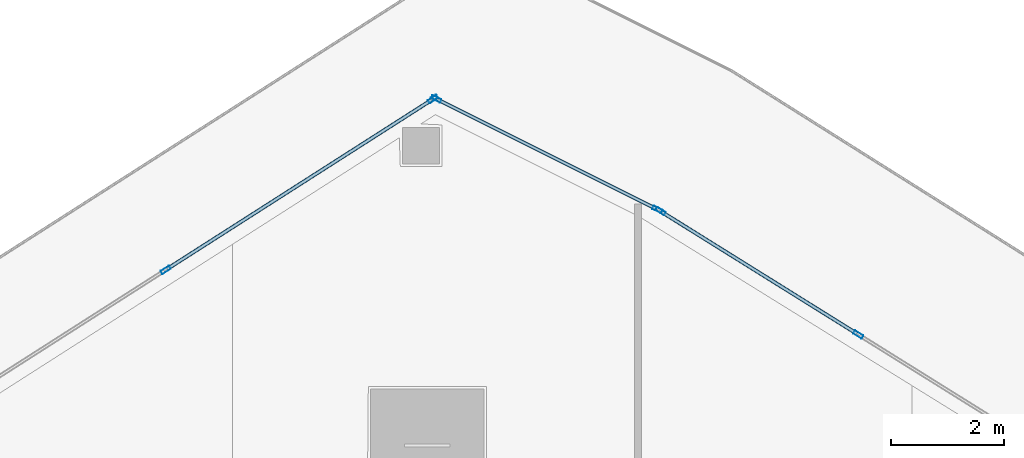
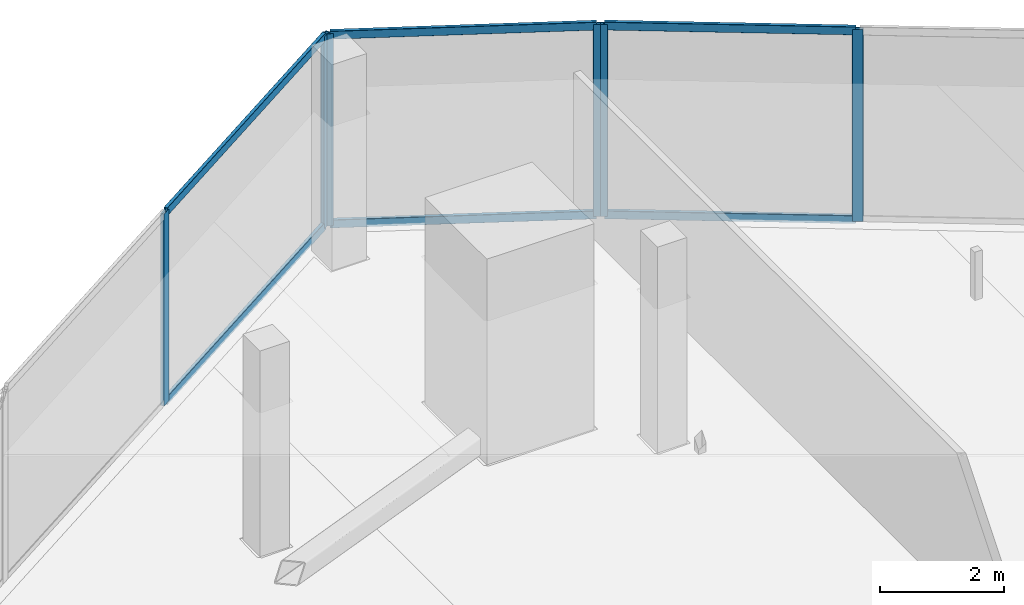
# One storey, part 22 of 39: 12 members, 3 elements without a shape of their own.
"""IFC4 building model written with IfcOpenShell, lengths in metres."""

import ifcopenshell
import ifcopenshell.guid

model = None  # the IFC model being written
_history = None  # IfcOwnerHistory: only IFC2X3 demands one
_inside = {}  # id of a spatial element -> (the spatial element, [elements in it])
_under = {}  # id of a project, library or spatial element -> (it, [spatial elements below it])
_declared = {}  # id of a project -> (the project, [libraries it declares])
_typed = {}  # id of a type object -> (the type object, [elements of that type])
_made_of = {}  # id of a material, layer set ... -> (it, [elements and type objects made of it])


def new_model(schema):
    """Start an empty IFC model of exactly this schema.

    Asked for "IFC4X3", IfcOpenShell would pick the latest addendum, in which some entities
    have other attributes; the version numbers below select the first issue.
    IFC2X3 requires an IfcOwnerHistory on every rooted entity: one is made here for all.
    """
    global model, _history
    if schema == "IFC4X3":
        model = ifcopenshell.file(schema_version=(4, 3, 0, 0))
    else:
        model = ifcopenshell.file(schema=schema)
    _inside.clear()
    _under.clear()
    _declared.clear()
    _typed.clear()
    _made_of.clear()
    _history = None
    if model.schema == "IFC2X3":
        org = make("IfcOrganization", Name="unknown")
        user = make(
            "IfcPersonAndOrganization",
            ThePerson=make("IfcPerson", FamilyName="unknown"),
            TheOrganization=org,
        )
        app = make(
            "IfcApplication",
            ApplicationDeveloper=org,
            Version="unknown",
            ApplicationFullName="unknown",
            ApplicationIdentifier="unknown",
        )
        _history = make(
            "IfcOwnerHistory",
            OwningUser=user,
            OwningApplication=app,
            ChangeAction="ADDED",
            CreationDate=0,
        )
    return model


def make(cls, **values):
    """One entity of the class cls with the attributes given. An attribute that is None is left unset."""
    return model.create_entity(
        cls, **{name: value for name, value in values.items() if value is not None}
    )


def rooted(cls, **values):
    """An entity with a GlobalId (a new one), such as an element, a storey or a relation."""
    return make(cls, GlobalId=ifcopenshell.guid.new(), OwnerHistory=_history, **values)


def si_unit(unit_type, name, prefix=None):
    """IfcSIUnit, for example si_unit("LENGTHUNIT", "METRE", prefix="MILLI")."""
    return make("IfcSIUnit", UnitType=unit_type, Prefix=prefix, Name=name)


def assignment(units):
    """IfcUnitAssignment: the units of a project."""
    return None if units is None else make("IfcUnitAssignment", Units=units)


def point(xyz):
    """IfcCartesianPoint."""
    return None if xyz is None else make("IfcCartesianPoint", Coordinates=xyz)


def direction(xyz):
    """IfcDirection."""
    return None if xyz is None else make("IfcDirection", DirectionRatios=xyz)


def frame(location, z_axis=None, x_axis=None):
    """IfcAxis2Placement3D, a coordinate frame: its origin and axes. An axis left out is left unset."""
    return make(
        "IfcAxis2Placement3D",
        Location=point(location),
        Axis=direction(z_axis),
        RefDirection=direction(x_axis),
    )


def frame_2d(location, x_axis=None):
    """IfcAxis2Placement2D, a coordinate frame in the plane: its origin and x axis."""
    return make(
        "IfcAxis2Placement2D", Location=point(location), RefDirection=direction(x_axis)
    )


def origin():
    """The frame at (0, 0, 0) with its axes left unset."""
    return frame((0.0, 0.0, 0.0))


def origin_2d():
    """The frame at (0, 0) in the plane with its x axis left unset."""
    return frame_2d((0.0, 0.0))


def place(relative_to, where):
    """IfcLocalPlacement: puts the frame where relative to a parent placement (None: the world)."""
    return make(
        "IfcLocalPlacement", PlacementRelTo=relative_to, RelativePlacement=where
    )


def context(
    kind, dimensions, precision=None, world=None, true_north=None, identifier=None
):
    """IfcGeometricRepresentationContext, for example the 3D "Model" context."""
    return make(
        "IfcGeometricRepresentationContext",
        ContextIdentifier=identifier,
        ContextType=kind,
        CoordinateSpaceDimension=dimensions,
        Precision=precision,
        WorldCoordinateSystem=world,
        TrueNorth=true_north,
    )


def subcontext(parent, identifier, kind, view, scale=None):
    """IfcGeometricRepresentationSubContext, for example "Body" below "Model"."""
    return make(
        "IfcGeometricRepresentationSubContext",
        ContextIdentifier=identifier,
        ContextType=kind,
        ParentContext=parent,
        TargetScale=scale,
        TargetView=view,
    )


def project(units=None, contexts=None):
    """IfcProject with its units and contexts."""
    return rooted(
        "IfcProject",
        Name="project",
        RepresentationContexts=contexts,
        UnitsInContext=assignment(units),
    )


def spatial(cls, under=None, at=None, **own):
    """A site, building, storey or space (cls), placed at a placement, below another one or the project."""
    s = rooted(cls, ObjectPlacement=at, **own)
    if under is not None:
        _under.setdefault(under.id(), (under, []))[1].append(s)
    return s


def profile(cls, at=None, kind="AREA", **sizes):
    """A parametric profile (cls). Its sizes go by their IFC names, for example OverallWidth=200.0."""
    return make(cls, ProfileType=kind, Position=at, **sizes)


def hollow_rectangle(**sizes):
    """IfcRectangleHollowProfileDef."""
    return profile("IfcRectangleHollowProfileDef", **sizes)


def extrude(swept, where, along, depth):
    """IfcExtrudedAreaSolid: the profile swept, set in the frame where, extruded along a direction by depth."""
    return make(
        "IfcExtrudedAreaSolid",
        SweptArea=swept,
        Position=where,
        ExtrudedDirection=direction(along),
        Depth=depth,
    )


def shape(context_of_items, identifier, shape_type, items):
    """IfcShapeRepresentation: the items that make up one representation, for example the "Body"."""
    return make(
        "IfcShapeRepresentation",
        ContextOfItems=context_of_items,
        RepresentationIdentifier=identifier,
        RepresentationType=shape_type,
        Items=items,
    )


def material(Name=None, Category=None):
    """IfcMaterial."""
    return make("IfcMaterial", Name=Name, Category=Category)


def layer(
    of_material, thickness, ventilated=None, Name=None, Category=None, Priority=None
):
    """IfcMaterialLayer: one layer of a wall or slab, of a material (None: an air gap)."""
    return make(
        "IfcMaterialLayer",
        Material=of_material,
        LayerThickness=thickness,
        IsVentilated=ventilated,
        Name=Name,
        Category=Category,
        Priority=Priority,
    )


def layer_set(layers, Name=None):
    """IfcMaterialLayerSet."""
    return make("IfcMaterialLayerSet", MaterialLayers=layers, LayerSetName=Name)


def material_profile(
    of_material, cross_section, Name=None, Category=None, Priority=None
):
    """IfcMaterialProfile: a cross section and its material."""
    return make(
        "IfcMaterialProfile",
        Name=Name,
        Material=of_material,
        Profile=cross_section,
        Priority=Priority,
        Category=Category,
    )


def profile_set(profiles, Name=None, composite=None):
    """IfcMaterialProfileSet."""
    return make(
        "IfcMaterialProfileSet",
        Name=Name,
        MaterialProfiles=profiles,
        CompositeProfile=composite,
    )


def made_of(thing, what):
    """Note that an element or type object is made of a material, layer set ...; save() writes the relation."""
    if what is not None:
        _made_of.setdefault(what.id(), (what, []))[1].append(thing)
    return thing


def type_object(cls, material=None, **own):
    """A type object (cls), such as IfcWallType, which elements share."""
    return made_of(rooted(cls, **own), material)


def element(
    cls,
    number,
    at=None,
    inside=None,
    cuts=None,
    type_object=None,
    material=None,
    context=None,
    identifier="Body",
    shape_type=None,
    held_by="IfcProductDefinitionShape",
    body=None,
    shapes=None,
    **own,
):
    """One element of the class cls, such as IfcWall. Its Tag is "e" and its number.

    at: its placement. inside: the storey or other place that contains it. cuts: it is an
    opening in that element (IfcRelVoidsElement). A single representation is given by context,
    identifier, shape_type and body (its items); several are given by shapes. held_by: the class
    of the entity that holds the representations. save() writes the other relations.
    """
    e = rooted(cls, Tag="e%d" % number, ObjectPlacement=at, **own)
    if body is not None:
        shapes = [shape(context, identifier, shape_type, body)]
    if shapes is not None:
        e.Representation = make(held_by, Representations=shapes)
    if inside is not None:
        _inside.setdefault(inside.id(), (inside, []))[1].append(e)
    if cuts is not None:
        rooted(
            "IfcRelVoidsElement", RelatingBuildingElement=cuts, RelatedOpeningElement=e
        )
    if type_object is not None:
        _typed.setdefault(type_object.id(), (type_object, []))[1].append(e)
    return made_of(e, material)


def aggregate(whole, parts):
    """IfcRelAggregates: a whole, such as a stair, and the parts it consists of."""
    return rooted("IfcRelAggregates", RelatingObject=whole, RelatedObjects=parts)


def save(model, path):
    """Write the relations noted so far, then the file.

    IfcRelAggregates (storeys below a building ...), IfcRelContainedInSpatialStructure (elements
    in a storey), IfcRelDefinesByType, IfcRelAssociatesMaterial and IfcRelDeclares: one each for
    every whole, place, type object, material and project.
    """
    for whole, parts in _under.values():
        aggregate(whole, parts)
    for where, things in _inside.values():
        rooted(
            "IfcRelContainedInSpatialStructure",
            RelatedElements=things,
            RelatingStructure=where,
        )
    for kind, things in _typed.values():
        rooted("IfcRelDefinesByType", RelatedObjects=things, RelatingType=kind)
    for what, things in _made_of.values():
        rooted("IfcRelAssociatesMaterial", RelatedObjects=things, RelatingMaterial=what)
    for by, libraries in _declared.values():
        rooted("IfcRelDeclares", RelatingContext=by, RelatedDefinitions=libraries)
    model.write(path)


model = new_model("IFC4")

# Units and contexts
model_context = context("Model", 3, precision=1e-05, world=origin(), true_north=direction((0.0, 1.0)))
body_context = subcontext(model_context, "Body", "Model", "MODEL_VIEW")
ifc_project = project(units=[si_unit("LENGTHUNIT", "METRE"), si_unit("AREAUNIT", "SQUARE_METRE"), si_unit("VOLUMEUNIT", "CUBIC_METRE"), si_unit("PLANEANGLEUNIT", "RADIAN"), si_unit("MASSUNIT", "GRAM", prefix="KILO")], contexts=[model_context])

# Site, building, storey
site_placement = place(None, origin())
site = spatial("IfcSite", under=ifc_project, at=site_placement, CompositionType="ELEMENT")
building_placement = place(site_placement, origin())
building = spatial("IfcBuilding", under=site, at=building_placement, Name="Qorvath Tower", CompositionType="ELEMENT")
storey_placement = place(building_placement, frame((0.0, 0.0, 201.0)))
storey = spatial("IfcBuildingStorey", under=building, at=storey_placement, Name="L46", CompositionType="ELEMENT", Elevation=201.0)

# Curtain wall, members
ifc_material_1 = material(Name="Anodised aluminium and triple low-E glass", Category="aluminium")
ifc_layer = layer(ifc_material_1, 0.179931640625)
ifc_layer_set = layer_set([ifc_layer], Name="CW-SYS-3")
curtain_wall_type = type_object("IfcCurtainWallType", Name="CW-SYS-3", PredefinedType="NOTDEFINED", material=ifc_layer_set)
curtain_wall_1_placement = place(storey_placement, origin())
curtain_wall_1 = element("IfcCurtainWall", 1, at=curtain_wall_1_placement, inside=storey, type_object=curtain_wall_type, Name="Curtain Wall CW-3 CW-T-L46-14.1", PredefinedType="NOTDEFINED")
ifc_material_2 = material(Name="Anodised aluminium 6063-T6", Category="aluminium")
ifc_material_profile_1 = material_profile(ifc_material_2, hollow_rectangle(XDim=0.06494140625, YDim=0.179931640625, WallThickness=0.00341796875, InnerFilletRadius=0.00341796875, OuterFilletRadius=0.007080078125, at=origin_2d()), Name="CWM 180x65")
ifc_profile_set_1 = profile_set([ifc_material_profile_1], Name="Anodised aluminium 6063-T6")
member_type_1 = type_object("IfcMemberType", Name="CWM-180", PredefinedType="MULLION", material=ifc_profile_set_1)
member_1_placement = place(storey_placement, frame((-9.25341796875, 23.590576171875, 0.0), z_axis=(0.0, 0.0, 1.0), x_axis=(-0.529206179006, -0.848493264618, 0.0)))
member_1 = element("IfcMember", 2, at=member_1_placement, type_object=member_type_1, Name="CW-3 mullion 2", PredefinedType="MULLION", context=body_context, shape_type="SweptSolid", body=[
    extrude(hollow_rectangle(XDim=0.06494140625, YDim=0.179931640625, WallThickness=0.00341796875, InnerFilletRadius=0.00341796875, OuterFilletRadius=0.007080078125, at=origin_2d()), origin(), (0.0, 0.0, 1.0), 3.780029296875),
])
member_2_placement = place(storey_placement, frame((-12.748046875, 25.770263671875, 0.0), z_axis=(0.0, 0.0, 1.0), x_axis=(-0.529206179006, -0.848493264618, 0.0)))
member_2 = element("IfcMember", 3, at=member_2_placement, type_object=member_type_1, Name="CW-3 mullion 3", PredefinedType="MULLION", context=body_context, shape_type="SweptSolid", body=[
    extrude(hollow_rectangle(XDim=0.06494140625, YDim=0.179931640625, WallThickness=0.00341796875, InnerFilletRadius=0.00341796875, OuterFilletRadius=0.007080078125, at=origin_2d()), origin(), (0.0, 0.0, 1.0), 3.780029296875),
])

curtain_wall_2_placement = place(storey_placement, origin())
curtain_wall_2 = element("IfcCurtainWall", 4, at=curtain_wall_2_placement, inside=storey, type_object=curtain_wall_type, Name="Curtain Wall CW-3 CW-T-L46-15.1", PredefinedType="NOTDEFINED")
member_3_placement = place(storey_placement, frame((-12.8046875, 25.802001953125, 0.0), z_axis=(0.0, 0.0, 1.0), x_axis=(-0.44720457744, -0.894431699973, 0.0)))
member_3 = element("IfcMember", 5, at=member_3_placement, type_object=member_type_1, Name="CW-3 mullion 1", PredefinedType="MULLION", context=body_context, shape_type="SweptSolid", body=[
    extrude(hollow_rectangle(XDim=0.06494140625, YDim=0.179931640625, WallThickness=0.00341796875, InnerFilletRadius=0.00341796875, OuterFilletRadius=0.007080078125, at=origin_2d()), origin(), (0.0, 0.0, 1.0), 3.780029296875),
])
member_4_placement = place(storey_placement, frame((-16.7138671875, 27.75634765625, 0.0), z_axis=(0.0, 0.0, 1.0), x_axis=(-0.44720457744, -0.894431699973, 0.0)))
member_4 = element("IfcMember", 6, at=member_4_placement, type_object=member_type_1, Name="CW-3 mullion 2", PredefinedType="MULLION", context=body_context, shape_type="SweptSolid", body=[
    extrude(hollow_rectangle(XDim=0.06494140625, YDim=0.179931640625, WallThickness=0.00341796875, InnerFilletRadius=0.00341796875, OuterFilletRadius=0.007080078125, at=origin_2d()), origin(), (0.0, 0.0, 1.0), 3.780029296875),
])

curtain_wall_3_placement = place(storey_placement, origin())
curtain_wall_3 = element("IfcCurtainWall", 7, at=curtain_wall_3_placement, inside=storey, type_object=curtain_wall_type, Name="Curtain Wall CW-3 CW-T-L46-16.1", PredefinedType="NOTDEFINED")
member_5_placement = place(storey_placement, frame((-16.770263671875, 27.75341796875, 0.0), z_axis=(0.0, 0.0, 1.0), x_axis=(0.538533623725, -0.842604020948, 0.0)))
member_5 = element("IfcMember", 8, at=member_5_placement, type_object=member_type_1, Name="CW-3 mullion 1", PredefinedType="MULLION", context=body_context, shape_type="SweptSolid", body=[
    extrude(hollow_rectangle(XDim=0.06494140625, YDim=0.179931640625, WallThickness=0.00341796875, InnerFilletRadius=0.00341796875, OuterFilletRadius=0.007080078125, at=origin_2d()), origin(), (0.0, 0.0, 1.0), 3.780029296875),
])
member_6_placement = place(storey_placement, frame((-21.495361328125, 24.733642578125, 0.0), z_axis=(0.0, 0.0, 1.0), x_axis=(0.538533623725, -0.842604020948, 0.0)))
member_6 = element("IfcMember", 9, at=member_6_placement, type_object=member_type_1, Name="CW-3 mullion 2", PredefinedType="MULLION", context=body_context, shape_type="SweptSolid", body=[
    extrude(hollow_rectangle(XDim=0.06494140625, YDim=0.179931640625, WallThickness=0.00341796875, InnerFilletRadius=0.00341796875, OuterFilletRadius=0.007080078125, at=origin_2d()), origin(), (0.0, 0.0, 1.0), 3.780029296875),
])

# Member
ifc_material_3 = material(Name="Anodised aluminium 6063-T6", Category="aluminium")
ifc_material_profile_2 = material_profile(ifc_material_3, hollow_rectangle(XDim=0.06494140625, YDim=0.159912109375, WallThickness=0.00341796875, InnerFilletRadius=0.00341796875, OuterFilletRadius=0.007080078125, at=origin_2d()), Name="CWT 160x65")
ifc_profile_set_2 = profile_set([ifc_material_profile_2], Name="Anodised aluminium 6063-T6")
member_type_2 = type_object("IfcMemberType", Name="CWT-160", PredefinedType="USERDEFINED", material=ifc_profile_set_2)
member_7_placement = place(storey_placement, frame((-9.281005859375, 23.60791015625, 0.032470703125), z_axis=(-0.848512223459, 0.529175780474, 0.0), x_axis=(-0.529175780474, -0.848512223459, 0.0)))
member_7 = element("IfcMember", 10, at=member_7_placement, type_object=member_type_2, Name="CW-3 transom 2.1", ObjectType="TRANSOM", PredefinedType="USERDEFINED", context=body_context, shape_type="SweptSolid", body=[
    extrude(hollow_rectangle(XDim=0.06494140625, YDim=0.159912109375, WallThickness=0.00341796875, InnerFilletRadius=0.00341796875, OuterFilletRadius=0.007080078125, at=origin_2d()), origin(), (0.0, 0.0, 1.0), 4.053466796875),
])

member_8_placement = place(storey_placement, frame((-9.281005859375, 23.60791015625, 3.74755859375), z_axis=(-0.848512223459, 0.529175780474, 0.0), x_axis=(-0.529175780474, -0.848512223459, 0.0)))
member_8 = element("IfcMember", 11, at=member_8_placement, type_object=member_type_2, Name="CW-3 transom 2.2", ObjectType="TRANSOM", PredefinedType="USERDEFINED", context=body_context, shape_type="SweptSolid", body=[
    extrude(hollow_rectangle(XDim=0.06494140625, YDim=0.159912109375, WallThickness=0.00341796875, InnerFilletRadius=0.00341796875, OuterFilletRadius=0.007080078125, at=origin_2d()), origin(), (0.0, 0.0, 1.0), 4.053466796875),
])

aggregate(curtain_wall_1, [member_1, member_2, member_7, member_8])

member_9_placement = place(storey_placement, frame((-12.833740234375, 25.81640625, 0.032470703125), z_axis=(-0.894427191, 0.4472135955, 0.0), x_axis=(-0.4472135955, -0.894427191, 0.0)))
member_9 = element("IfcMember", 12, at=member_9_placement, type_object=member_type_2, Name="CW-3 transom 1.1", ObjectType="TRANSOM", PredefinedType="USERDEFINED", context=body_context, shape_type="SweptSolid", body=[
    extrude(hollow_rectangle(XDim=0.06494140625, YDim=0.159912109375, WallThickness=0.00341796875, InnerFilletRadius=0.00341796875, OuterFilletRadius=0.007080078125, at=origin_2d()), origin(), (0.0, 0.0, 1.0), 4.3056640625),
])

member_10_placement = place(storey_placement, frame((-12.833740234375, 25.81640625, 3.74755859375), z_axis=(-0.894427191, 0.4472135955, 0.0), x_axis=(-0.4472135955, -0.894427191, 0.0)))
member_10 = element("IfcMember", 13, at=member_10_placement, type_object=member_type_2, Name="CW-3 transom 1.2", ObjectType="TRANSOM", PredefinedType="USERDEFINED", context=body_context, shape_type="SweptSolid", body=[
    extrude(hollow_rectangle(XDim=0.06494140625, YDim=0.159912109375, WallThickness=0.00341796875, InnerFilletRadius=0.00341796875, OuterFilletRadius=0.007080078125, at=origin_2d()), origin(), (0.0, 0.0, 1.0), 4.3056640625),
])

aggregate(curtain_wall_2, [member_3, member_4, member_9, member_10])

member_11_placement = place(storey_placement, frame((-16.797607421875, 27.736083984375, 0.032470703125), z_axis=(-0.842595217297, -0.538547397903, 0.0), x_axis=(0.538547397903, -0.842595217297, 0.0)))
member_11 = element("IfcMember", 14, at=member_11_placement, type_object=member_type_2, Name="CW-3 transom 1.1", ObjectType="TRANSOM", PredefinedType="USERDEFINED", context=body_context, shape_type="SweptSolid", body=[
    extrude(hollow_rectangle(XDim=0.06494140625, YDim=0.159912109375, WallThickness=0.00341796875, InnerFilletRadius=0.00341796875, OuterFilletRadius=0.007080078125, at=origin_2d()), origin(), (0.0, 0.0, 1.0), 5.54296875),
])

member_12_placement = place(storey_placement, frame((-16.797607421875, 27.736083984375, 3.74755859375), z_axis=(-0.842595217297, -0.538547397903, 0.0), x_axis=(0.538547397903, -0.842595217297, 0.0)))
member_12 = element("IfcMember", 15, at=member_12_placement, type_object=member_type_2, Name="CW-3 transom 1.2", ObjectType="TRANSOM", PredefinedType="USERDEFINED", context=body_context, shape_type="SweptSolid", body=[
    extrude(hollow_rectangle(XDim=0.06494140625, YDim=0.159912109375, WallThickness=0.00341796875, InnerFilletRadius=0.00341796875, OuterFilletRadius=0.007080078125, at=origin_2d()), origin(), (0.0, 0.0, 1.0), 5.54296875),
])

aggregate(curtain_wall_3, [member_5, member_6, member_11, member_12])

save(model, "model.ifc")
